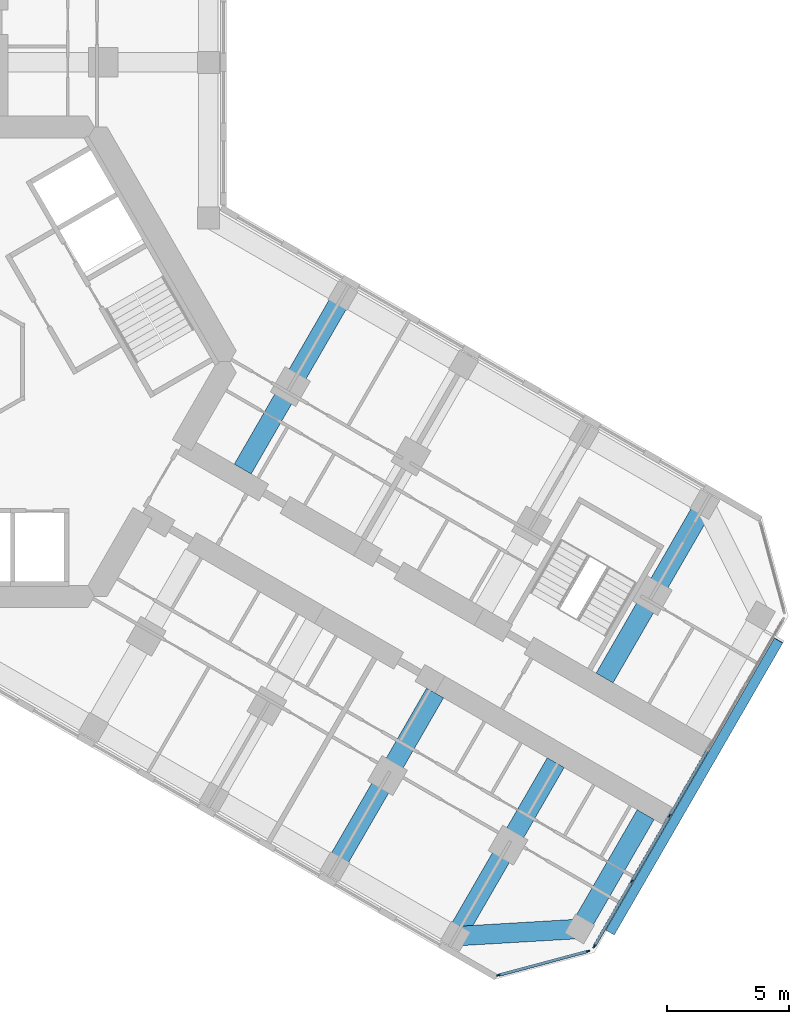
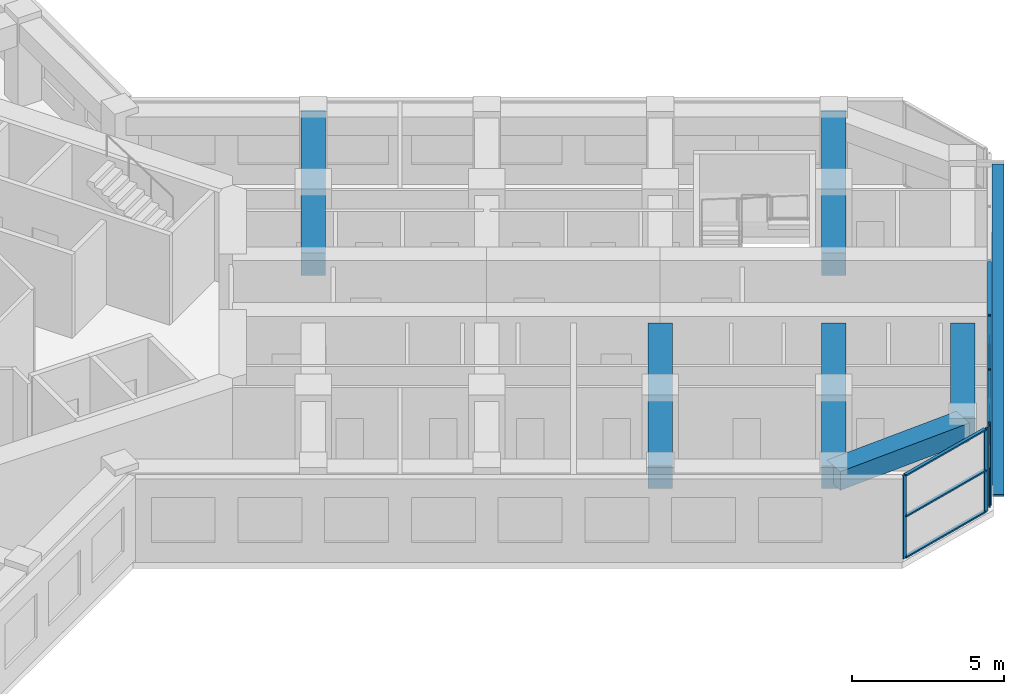
# One storey, part 5 of 19: 15 members, 6 beams, 2 elements without a shape of their own.
"""IFC4 building model written with IfcOpenShell, lengths in metres."""

from ifc_helpers import new_model, si_unit, direction, frame, origin, origin_2d, place, context, subcontext, project, spatial, rectangle, extrude, material, material_profile, profile_set, type_object, element, aggregate, save


model = new_model("IFC4")

# Units and contexts
model_context = context("Model", 3, precision=1e-05, world=origin(), true_north=direction((0.0, 1.0)))
body_context = subcontext(model_context, "Body", "Model", "MODEL_VIEW")
ifc_project = project(units=[si_unit("LENGTHUNIT", "METRE"), si_unit("AREAUNIT", "SQUARE_METRE"), si_unit("VOLUMEUNIT", "CUBIC_METRE"), si_unit("PLANEANGLEUNIT", "RADIAN"), si_unit("MASSUNIT", "GRAM", prefix="KILO")], contexts=[model_context])

# Site, building, storey
site_placement = place(None, origin())
site = spatial("IfcSite", under=ifc_project, at=site_placement, CompositionType="ELEMENT")
building_placement = place(site_placement, origin())
building = spatial("IfcBuilding", under=site, at=building_placement, Name="Kosmar Iwan School Tower", CompositionType="ELEMENT")
storey_placement = place(building_placement, frame((0.0, 0.0, 168.800048828125)))
storey = spatial("IfcBuildingStorey", under=building, at=storey_placement, Name="L42", CompositionType="ELEMENT", Elevation=168.800048828125)

# Member
ifc_material_1 = material(Name="Black anodised aluminium", Category="aluminium")
ifc_material_profile_1 = material_profile(ifc_material_1, rectangle(XDim=0.10009765625, YDim=0.39990234375, at=origin_2d()), Name="FIN 100x400")
ifc_profile_set_1 = profile_set([ifc_material_profile_1], Name="Black anodised aluminium")
member_type_1 = type_object("IfcMemberType", Name="Diagonal fin 100x400", PredefinedType="USERDEFINED", material=ifc_profile_set_1)
member_1_placement = place(storey_placement, frame((26.645263671875, -23.34912109375, -0.150146484375), z_axis=(0.483793446988, 0.837970316603, 0.25248692866), x_axis=(-0.126241714543, -0.218661104574, 0.96760030532)))
element("IfcMember", 1, at=member_1_placement, inside=storey, type_object=member_type_1, Name="Diagonal fin L42-F03", ObjectType="FIN", PredefinedType="USERDEFINED", context=body_context, shape_type="SweptSolid", body=[
    extrude(rectangle(XDim=0.10009765625, YDim=0.39990234375, at=origin_2d()), origin(), (0.0, 0.0, 1.0), 14.258544921875),
])

# Curtain wall, members
ifc_material_2 = material(Name="Dark glass in black aluminium frame", Category="aluminium")
curtain_wall_type_1 = type_object("IfcCurtainWallType", Name="Chamfer curtain wall dark glass", PredefinedType="USERDEFINED", material=ifc_material_2)
curtain_wall_1_placement = place(storey_placement, origin())
curtain_wall_1 = element("IfcCurtainWall", 2, at=curtain_wall_1_placement, inside=storey, type_object=curtain_wall_type_1, Name="Curtain wall L42-F02", ObjectType="FACETED CURTAIN WALL", PredefinedType="USERDEFINED")
ifc_material_3 = material(Name="Black anodised aluminium", Category="aluminium")
ifc_material_profile_2 = material_profile(ifc_material_3, rectangle(XDim=0.06005859375, YDim=0.159912109375, at=origin_2d()), Name="MULLION 60x160")
ifc_profile_set_2 = profile_set([ifc_material_profile_2], Name="Black anodised aluminium")
member_type_2 = type_object("IfcMemberType", Name="Mullion 60x160", PredefinedType="MULLION", material=ifc_profile_set_2)
member_2_placement = place(storey_placement, frame((22.0830078125, -25.102294921875, 0.0), z_axis=(0.0, 0.0, 1.0), x_axis=(-0.258818861462, 0.965925875495, 0.0)))
member_2 = element("IfcMember", 3, at=member_2_placement, type_object=member_type_2, Name="CW2 mullion 1", PredefinedType="MULLION", context=body_context, shape_type="SweptSolid", body=[
    extrude(rectangle(XDim=0.06005859375, YDim=0.159912109375, at=origin_2d()), origin(), (0.0, 0.0, 1.0), 3.349853515625),
])
member_3_placement = place(storey_placement, frame((25.733154296875, -24.124267578125, 0.0), z_axis=(0.0, 0.0, 1.0), x_axis=(-0.258818861462, 0.965925875495, 0.0)))
member_3 = element("IfcMember", 4, at=member_3_placement, type_object=member_type_2, Name="CW2 mullion 2", PredefinedType="MULLION", context=body_context, shape_type="SweptSolid", body=[
    extrude(rectangle(XDim=0.06005859375, YDim=0.159912109375, at=origin_2d()), origin(), (0.0, 0.0, 1.0), 3.349853515625),
])

ifc_material_4 = material(Name="Dark glass in black aluminium frame", Category="aluminium")
curtain_wall_type_2 = type_object("IfcCurtainWallType", Name="Tower curtain wall dark glass", PredefinedType="USERDEFINED", material=ifc_material_4)
curtain_wall_2_placement = place(storey_placement, origin())
curtain_wall_2 = element("IfcCurtainWall", 5, at=curtain_wall_2_placement, inside=storey, type_object=curtain_wall_type_2, Name="Curtain wall L42-F03", ObjectType="UNITISED CURTAIN WALL", PredefinedType="USERDEFINED")
member_4_placement = place(storey_placement, frame((25.9970703125, -23.921630859375, 0.0), z_axis=(0.0, 0.0, 1.0), x_axis=(-0.866025405329, 0.499999997325, 0.0)))
member_4 = element("IfcMember", 6, at=member_4_placement, type_object=member_type_2, Name="CW1 mullion 1", PredefinedType="MULLION", context=body_context, shape_type="SweptSolid", body=[
    extrude(rectangle(XDim=0.06005859375, YDim=0.159912109375, at=origin_2d()), origin(), (0.0, 0.0, 1.0), 3.349853515625),
])
member_5_placement = place(storey_placement, frame((27.53173828125, -21.263671875, 0.0), z_axis=(0.0, 0.0, 1.0), x_axis=(-0.866025405329, 0.499999997325, 0.0)))
member_5 = element("IfcMember", 7, at=member_5_placement, type_object=member_type_2, Name="CW1 mullion 2", PredefinedType="MULLION", context=body_context, shape_type="SweptSolid", body=[
    extrude(rectangle(XDim=0.06005859375, YDim=0.159912109375, at=origin_2d()), origin(), (0.0, 0.0, 1.0), 3.349853515625),
])
member_6_placement = place(storey_placement, frame((29.081298828125, -18.57958984375, 0.0), z_axis=(0.0, 0.0, 1.0), x_axis=(-0.866025405329, 0.499999997325, 0.0)))
member_6 = element("IfcMember", 8, at=member_6_placement, type_object=member_type_2, Name="CW1 mullion 3", PredefinedType="MULLION", context=body_context, shape_type="SweptSolid", body=[
    extrude(rectangle(XDim=0.06005859375, YDim=0.159912109375, at=origin_2d()), origin(), (0.0, 0.0, 1.0), 3.349853515625),
])

# Beams
ifc_material_5 = material(Name="Concrete C50/60", Category="concrete")
ifc_material_profile_3 = material_profile(ifc_material_5, rectangle(XDim=0.800048828125, YDim=0.75, at=origin_2d()), Name="RC 800x750")
ifc_profile_set_3 = profile_set([ifc_material_profile_3], Name="Concrete C50/60")
beam_type_1 = type_object("IfcBeamType", Name="RC tip beam 800x750", PredefinedType="BEAM", material=ifc_profile_set_3)
beam_1_placement = place(storey_placement, frame((20.31787109375, -23.508544921875, 2.974853515625), z_axis=(0.998260616478, 0.058955420358, 0.0), x_axis=(-0.058955420358, 0.998260616478, 0.0)))
element("IfcBeam", 9, at=beam_1_placement, inside=storey, type_object=beam_type_1, Name="Tip beam CR", PredefinedType="BEAM", context=body_context, shape_type="SweptSolid", body=[
    extrude(rectangle(XDim=0.800048828125, YDim=0.75, at=origin_2d()), origin(), (0.0, 0.0, 1.0), 5.08935546875),
])
beam_2_placement = place(storey_placement, frame((25.3984375, -23.20849609375, 2.974853515625), z_axis=(0.499995103361, 0.866028230842, 0.0), x_axis=(-0.866028230842, 0.499995103361, 0.0)))
element("IfcBeam", 10, at=beam_2_placement, inside=storey, type_object=beam_type_1, Name="Tip beam CR to corridor wall", PredefinedType="BEAM", context=body_context, shape_type="SweptSolid", body=[
    extrude(rectangle(XDim=0.800048828125, YDim=0.75, at=origin_2d()), origin(), (0.0, 0.0, 1.0), 5.39990234375),
])
ifc_material_6 = material(Name="Concrete C50/60", Category="concrete")
ifc_material_profile_4 = material_profile(ifc_material_6, rectangle(XDim=0.800048828125, YDim=0.89990234375, at=origin_2d()), Name="RC 800x900")
ifc_profile_set_4 = profile_set([ifc_material_profile_4], Name="Concrete C50/60")
beam_type_2 = type_object("IfcBeamType", Name="RC transverse beam 800x900", PredefinedType="BEAM", material=ifc_profile_set_4)
for number, where, z_axis, x_axis, name in (
    (11, (15.708740234375, 2.70849609375, 2.89990234375), (-0.499978459874, -0.866037839625, 0.0), (0.866037839625, -0.499978459874, 0.0), "Transverse beam CL1"),
    (12, (30.517822265625, -5.841552734375, 2.89990234375), (-0.500013681986, -0.866017504342, 0.0), (0.866017504342, -0.500013681986, 0.0), "Transverse beam CL4"),
    (13, (15.381591796875, -20.658447265625, 2.89990234375), (0.49999135188, 0.866030396721, 0.0), (-0.866030396721, 0.49999135188, 0.0), "Transverse beam CR3"),
    (14, (20.31787109375, -23.508544921875, 2.89990234375), (0.499978459874, 0.866037839625, 0.0), (-0.866037839625, 0.499978459874, 0.0), "Transverse beam CR4"),
):
    element("IfcBeam", number, at=place(storey_placement, frame(where, z_axis=z_axis, x_axis=x_axis)), inside=storey, type_object=beam_type_2, Name=name, PredefinedType="BEAM", context=body_context, shape_type="SweptSolid", body=[
        extrude(rectangle(XDim=0.800048828125, YDim=0.89990234375, at=origin_2d()), origin(), (0.0, 0.0, 1.0), 8.199951171875),
    ])

# Member
ifc_material_7 = material(Name="Black anodised aluminium", Category="aluminium")
ifc_material_profile_5 = material_profile(ifc_material_7, rectangle(XDim=0.1201171875, YDim=0.06005859375, at=origin_2d()), Name="TRANSOM 60x120")
ifc_profile_set_5 = profile_set([ifc_material_profile_5], Name="Black anodised aluminium")
member_type_3 = type_object("IfcMemberType", Name="Transom 60x120", PredefinedType="USERDEFINED", material=ifc_profile_set_5)
member_7_placement = place(storey_placement, frame((22.11181640625, -25.094482421875, 0.030029296875), z_axis=(0.965923731726, 0.258826861991, 0.0), x_axis=(-0.258826861991, 0.965923731726, 0.0)))
member_7 = element("IfcMember", 15, at=member_7_placement, type_object=member_type_3, Name="CW2 transom 1.1", ObjectType="TRANSOM", PredefinedType="USERDEFINED", context=body_context, shape_type="SweptSolid", body=[
    extrude(rectangle(XDim=0.1201171875, YDim=0.06005859375, at=origin_2d()), origin(), (0.0, 0.0, 1.0), 3.71923828125),
])

member_8_placement = place(storey_placement, frame((22.11181640625, -25.094482421875, 1.675048828125), z_axis=(0.965923731726, 0.258826861991, 0.0), x_axis=(-0.258826861991, 0.965923731726, 0.0)))
member_8 = element("IfcMember", 16, at=member_8_placement, type_object=member_type_3, Name="CW2 transom 1.2", ObjectType="TRANSOM", PredefinedType="USERDEFINED", context=body_context, shape_type="SweptSolid", body=[
    extrude(rectangle(XDim=0.1201171875, YDim=0.06005859375, at=origin_2d()), origin(), (0.0, 0.0, 1.0), 3.71923828125),
])

member_9_placement = place(storey_placement, frame((22.11181640625, -25.094482421875, 3.320068359375), z_axis=(0.965923731726, 0.258826861991, 0.0), x_axis=(-0.258826861991, 0.965923731726, 0.0)))
member_9 = element("IfcMember", 17, at=member_9_placement, type_object=member_type_3, Name="CW2 transom 1.3", ObjectType="TRANSOM", PredefinedType="USERDEFINED", context=body_context, shape_type="SweptSolid", body=[
    extrude(rectangle(XDim=0.1201171875, YDim=0.06005859375, at=origin_2d()), origin(), (0.0, 0.0, 1.0), 3.71923828125),
])

aggregate(curtain_wall_1, [member_2, member_3, member_7, member_8, member_9])

member_10_placement = place(storey_placement, frame((26.01220703125, -23.895751953125, 0.030029296875), z_axis=(0.499986971506, 0.866032925658, 0.0), x_axis=(-0.866032925658, 0.499986971506, 0.0)))
member_10 = element("IfcMember", 18, at=member_10_placement, type_object=member_type_3, Name="CW1 transom 1.1", ObjectType="TRANSOM", PredefinedType="USERDEFINED", context=body_context, shape_type="SweptSolid", body=[
    extrude(rectangle(XDim=0.1201171875, YDim=0.06005859375, at=origin_2d()), origin(), (0.0, 0.0, 1.0), 3.00927734375),
])

member_11_placement = place(storey_placement, frame((26.01220703125, -23.895751953125, 3.320068359375), z_axis=(0.499986971506, 0.866032925658, 0.0), x_axis=(-0.866032925658, 0.499986971506, 0.0)))
member_11 = element("IfcMember", 19, at=member_11_placement, type_object=member_type_3, Name="CW1 transom 1.2", ObjectType="TRANSOM", PredefinedType="USERDEFINED", context=body_context, shape_type="SweptSolid", body=[
    extrude(rectangle(XDim=0.1201171875, YDim=0.06005859375, at=origin_2d()), origin(), (0.0, 0.0, 1.0), 3.00927734375),
])

member_12_placement = place(storey_placement, frame((27.546875, -21.237548828125, 0.030029296875), z_axis=(0.499975102327, 0.866039777986, 0.0), x_axis=(-0.866039777986, 0.499975102327, 0.0)))
member_12 = element("IfcMember", 20, at=member_12_placement, type_object=member_type_3, Name="CW1 transom 2.1", ObjectType="TRANSOM", PredefinedType="USERDEFINED", context=body_context, shape_type="SweptSolid", body=[
    extrude(rectangle(XDim=0.1201171875, YDim=0.06005859375, at=origin_2d()), origin(), (0.0, 0.0, 1.0), 3.039306640625),
])

member_13_placement = place(storey_placement, frame((27.546875, -21.237548828125, 3.320068359375), z_axis=(0.499975102327, 0.866039777986, 0.0), x_axis=(-0.866039777986, 0.499975102327, 0.0)))
member_13 = element("IfcMember", 21, at=member_13_placement, type_object=member_type_3, Name="CW1 transom 2.2", ObjectType="TRANSOM", PredefinedType="USERDEFINED", context=body_context, shape_type="SweptSolid", body=[
    extrude(rectangle(XDim=0.1201171875, YDim=0.06005859375, at=origin_2d()), origin(), (0.0, 0.0, 1.0), 3.039306640625),
])

member_14_placement = place(storey_placement, frame((29.096435546875, -18.553466796875, 0.030029296875), z_axis=(0.499975102327, 0.866039777986, 0.0), x_axis=(-0.866039777986, 0.499975102327, 0.0)))
member_14 = element("IfcMember", 22, at=member_14_placement, type_object=member_type_3, Name="CW1 transom 3.1", ObjectType="TRANSOM", PredefinedType="USERDEFINED", context=body_context, shape_type="SweptSolid", body=[
    extrude(rectangle(XDim=0.1201171875, YDim=0.06005859375, at=origin_2d()), origin(), (0.0, 0.0, 1.0), 3.039306640625),
])

member_15_placement = place(storey_placement, frame((29.096435546875, -18.553466796875, 3.320068359375), z_axis=(0.499975102327, 0.866039777986, 0.0), x_axis=(-0.866039777986, 0.499975102327, 0.0)))
member_15 = element("IfcMember", 23, at=member_15_placement, type_object=member_type_3, Name="CW1 transom 3.2", ObjectType="TRANSOM", PredefinedType="USERDEFINED", context=body_context, shape_type="SweptSolid", body=[
    extrude(rectangle(XDim=0.1201171875, YDim=0.06005859375, at=origin_2d()), origin(), (0.0, 0.0, 1.0), 3.039306640625),
])

aggregate(curtain_wall_2, [member_4, member_5, member_6, member_10, member_11, member_12, member_13, member_14, member_15])

save(model, "model.ifc")
